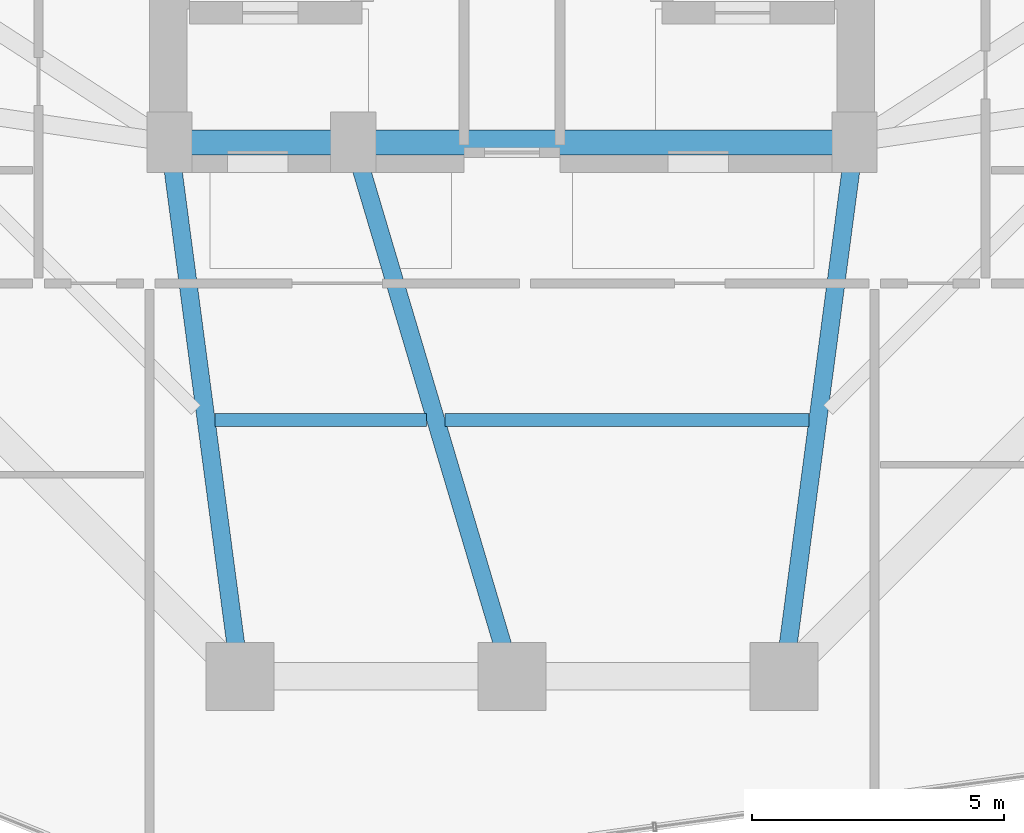
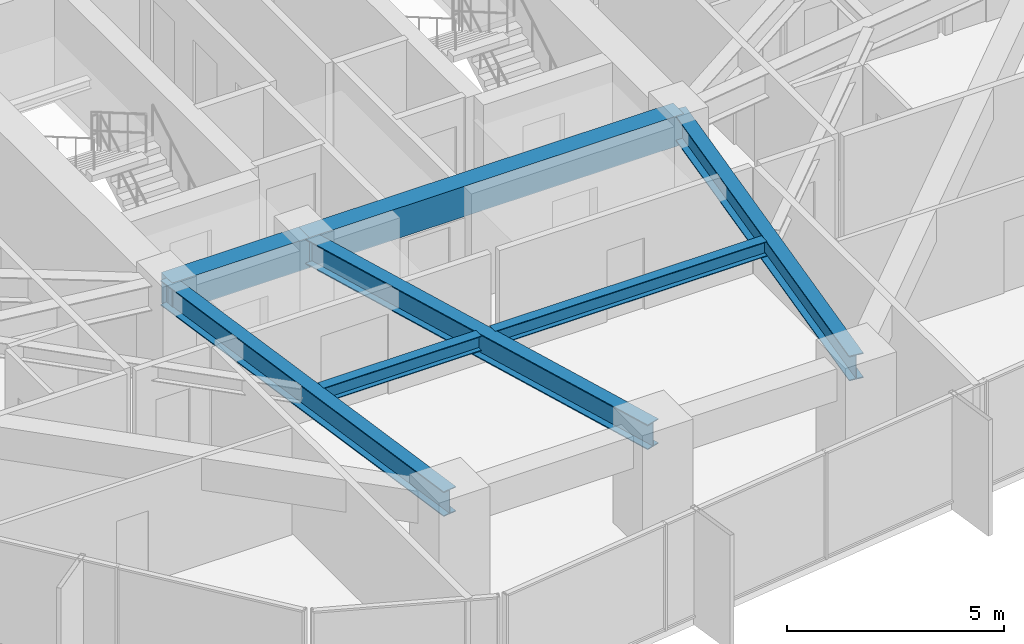
# One storey, part 9 of 37: 7 beams.
"""IFC4 building model written with IfcOpenShell, lengths in metres."""

from ifc_helpers import new_model, si_unit, direction, frame, origin, origin_2d, place, context, subcontext, project, spatial, rectangle, i_section, extrude, material, material_profile, profile_set, type_object, element, save


model = new_model("IFC4")

# Units and contexts
model_context = context("Model", 3, precision=1e-05, world=origin(), true_north=direction((0.0, 1.0)))
body_context = subcontext(model_context, "Body", "Model", "MODEL_VIEW")
ifc_project = project(units=[si_unit("LENGTHUNIT", "METRE"), si_unit("AREAUNIT", "SQUARE_METRE"), si_unit("VOLUMEUNIT", "CUBIC_METRE"), si_unit("PLANEANGLEUNIT", "RADIAN"), si_unit("MASSUNIT", "GRAM", prefix="KILO")], contexts=[model_context])

# Site, building, storey
site_placement = place(None, origin())
site = spatial("IfcSite", under=ifc_project, at=site_placement, CompositionType="ELEMENT")
building_placement = place(site_placement, origin())
building = spatial("IfcBuilding", under=site, at=building_placement, Name="Veraguas Prism Commons", CompositionType="ELEMENT")
storey_placement = place(building_placement, frame((0.0, 0.0, 50.050048828125)))
storey = spatial("IfcBuildingStorey", under=building, at=storey_placement, Name="L13", CompositionType="ELEMENT", Elevation=50.050048828125)

# Beams
ifc_material_1 = material(Name="Concrete C50/60", Category="concrete")
ifc_material_profile_1 = material_profile(ifc_material_1, rectangle(XDim=0.5, YDim=0.85009765625, at=origin_2d()), Name="RC500X850")
ifc_profile_set_1 = profile_set([ifc_material_profile_1], Name="Concrete C50/60")
beam_type_1 = type_object("IfcBeamType", Name="Core Coupling Beam RC 500x850", PredefinedType="BEAM", material=ifc_profile_set_1)
beam_1_placement = place(storey_placement, frame((17.199951171875, 17.0, 2.574951171875), z_axis=(1.0, 0.0, 0.0), x_axis=(0.0, 1.0, 0.0)))
element("IfcBeam", 1, at=beam_1_placement, inside=storey, type_object=beam_type_1, Name="Core Coupling Beam L13-CRS1", PredefinedType="BEAM", context=body_context, shape_type="SweptSolid", body=[
    extrude(rectangle(XDim=0.5, YDim=0.85009765625, at=origin_2d()), origin(), (0.0, 0.0, 1.0), 3.650146484375),
])
beam_2_placement = place(storey_placement, frame((20.85009765625, 17.0, 2.574951171875), z_axis=(1.0, 0.0, 0.0), x_axis=(0.0, 1.0, 0.0)))
element("IfcBeam", 2, at=beam_2_placement, inside=storey, type_object=beam_type_1, Name="Core Coupling Beam L13-CRS2", PredefinedType="BEAM", context=body_context, shape_type="SweptSolid", body=[
    extrude(rectangle(XDim=0.5, YDim=0.85009765625, at=origin_2d()), origin(), (0.0, 0.0, 1.0), 9.949951171875),
])
ifc_material_2 = material(Name="Steel ASTM A992 Grade 50", Category="steel")
ifc_material_profile_2 = material_profile(ifc_material_2, i_section(OverallWidth=0.260986328125, OverallDepth=0.419921875, WebThickness=0.01171875, FlangeThickness=0.019287109375, at=origin_2d()), Name="W410X114")
ifc_profile_set_2 = profile_set([ifc_material_profile_2], Name="Steel ASTM A992 Grade 50")
beam_type_2 = type_object("IfcBeamType", Name="Lower Floor Joist W410x114", PredefinedType="JOIST", material=ifc_profile_set_2)
beam_3_placement = place(storey_placement, frame((18.10546875, 11.488037109375, 2.7900390625), z_axis=(1.0, 0.0, 0.0), x_axis=(0.0, 1.0, 0.0)))
element("IfcBeam", 3, at=beam_3_placement, inside=storey, type_object=beam_type_2, Name="Composite Floor Joist L13-JS10", PredefinedType="JOIST", context=body_context, shape_type="SweptSolid", body=[
    extrude(i_section(OverallWidth=0.260986328125, OverallDepth=0.419921875, WebThickness=0.01171875, FlangeThickness=0.019287109375, at=origin_2d()), origin(), (0.0, 0.0, 1.0), 4.198974609375),
])
beam_4_placement = place(storey_placement, frame((22.671630859375, 11.488037109375, 2.7900390625), z_axis=(1.0, 0.0, 0.0), x_axis=(0.0, 1.0, 0.0)))
element("IfcBeam", 4, at=beam_4_placement, inside=storey, type_object=beam_type_2, Name="Composite Floor Joist L13-JS11", PredefinedType="JOIST", context=body_context, shape_type="SweptSolid", body=[
    extrude(i_section(OverallWidth=0.260986328125, OverallDepth=0.419921875, WebThickness=0.01171875, FlangeThickness=0.019287109375, at=origin_2d()), origin(), (0.0, 0.0, 1.0), 7.222900390625),
])
ifc_material_profile_3 = material_profile(ifc_material_2, i_section(OverallWidth=0.35595703125, OverallDepth=0.700927734375, WebThickness=0.016845703125, FlangeThickness=0.02734375, at=origin_2d()), Name="W690X240")
ifc_profile_set_3 = profile_set([ifc_material_profile_3], Name="Steel ASTM A992 Grade 50")
beam_type_3 = type_object("IfcBeamType", Name="Zone 1 Radial Girder W690x240", PredefinedType="BEAM", material=ifc_profile_set_3)
beam_5_placement = place(storey_placement, frame((18.60009765625, 6.39990234375, 2.6494140625), z_axis=(-0.130950648891, 0.991388888154, 0.0), x_axis=(-0.991388888154, -0.130950648891, 0.0)))
element("IfcBeam", 5, at=beam_5_placement, inside=storey, type_object=beam_type_3, Name="Radial Floor Girder L13-RD10", PredefinedType="BEAM", context=body_context, shape_type="SweptSolid", body=[
    extrude(i_section(OverallWidth=0.35595703125, OverallDepth=0.700927734375, WebThickness=0.016845703125, FlangeThickness=0.02734375, at=origin_2d()), origin(), (0.0, 0.0, 1.0), 10.692138671875),
])
beam_6_placement = place(storey_placement, frame((24.0, 6.39990234375, 2.6494140625), z_axis=(-0.28484745997, 0.958572858237, 0.0), x_axis=(-0.958572858237, -0.28484745997, 0.0)))
element("IfcBeam", 6, at=beam_6_placement, inside=storey, type_object=beam_type_3, Name="Radial Floor Girder L13-RD11", PredefinedType="BEAM", context=body_context, shape_type="SweptSolid", body=[
    extrude(i_section(OverallWidth=0.35595703125, OverallDepth=0.700927734375, WebThickness=0.016845703125, FlangeThickness=0.02734375, at=origin_2d()), origin(), (0.0, 0.0, 1.0), 11.05810546875),
])
beam_7_placement = place(storey_placement, frame((29.39990234375, 6.39990234375, 2.6494140625), z_axis=(0.130950648891, 0.991388888154, 0.0), x_axis=(-0.991388888154, 0.130950648891, 0.0)))
element("IfcBeam", 7, at=beam_7_placement, inside=storey, type_object=beam_type_3, Name="Radial Floor Girder L13-RD12", PredefinedType="BEAM", context=body_context, shape_type="SweptSolid", body=[
    extrude(i_section(OverallWidth=0.35595703125, OverallDepth=0.700927734375, WebThickness=0.016845703125, FlangeThickness=0.02734375, at=origin_2d()), origin(), (0.0, 0.0, 1.0), 10.692138671875),
])

save(model, "model.ifc")
